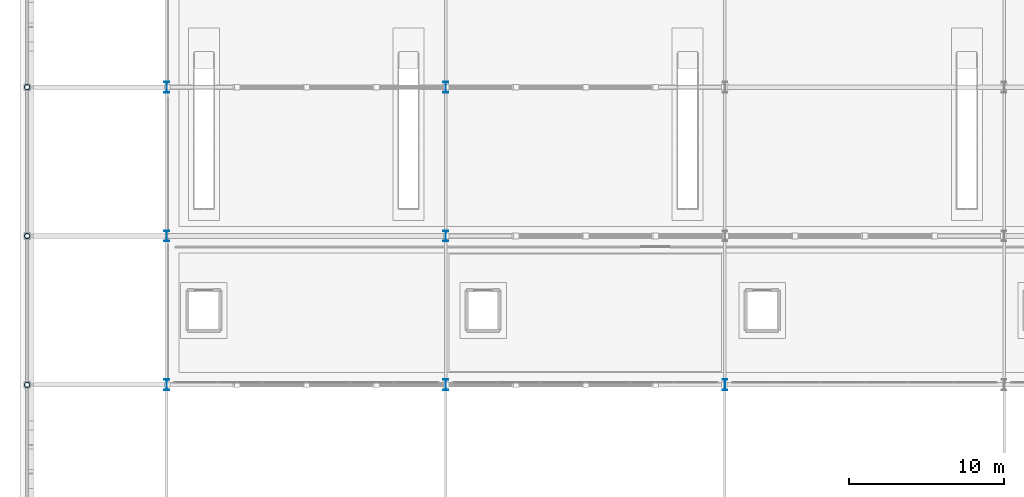
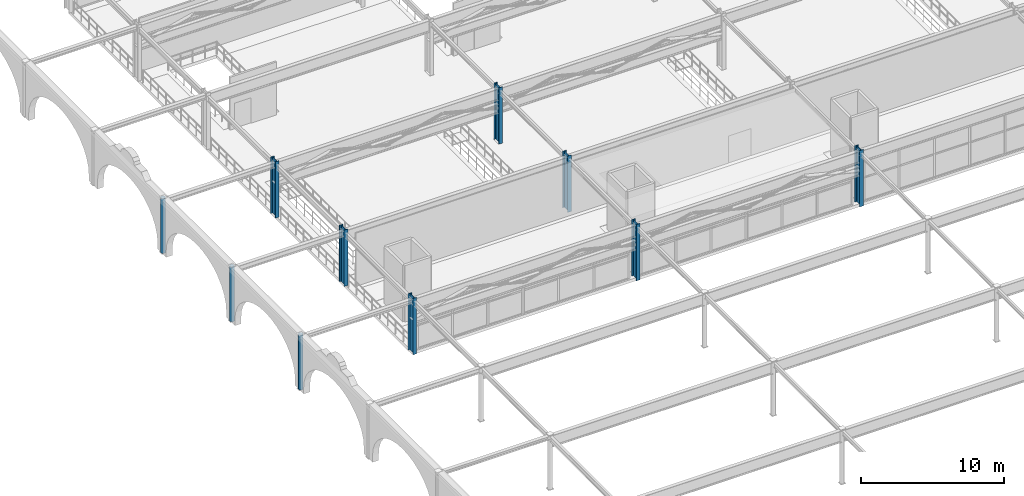
# One storey, part 3 of 125: 10 columns.
"""IFC4 building model written with IfcOpenShell, lengths in metres."""

from ifc_helpers import new_model, si_unit, direction, frame, origin, origin_2d, place, context, subcontext, project, spatial, hollow_circle, i_section, extrude, material, material_profile, profile_set, type_object, element, save


model = new_model("IFC4")

# Units and contexts
model_context = context("Model", 3, precision=1e-05, world=origin(), true_north=direction((0.0, 1.0)))
body_context = subcontext(model_context, "Body", "Model", "MODEL_VIEW")
ifc_project = project(units=[si_unit("LENGTHUNIT", "METRE"), si_unit("AREAUNIT", "SQUARE_METRE"), si_unit("VOLUMEUNIT", "CUBIC_METRE"), si_unit("PLANEANGLEUNIT", "RADIAN"), si_unit("MASSUNIT", "GRAM", prefix="KILO")], contexts=[model_context])

# Site, building, storey
site_placement = place(None, origin())
site = spatial("IfcSite", under=ifc_project, at=site_placement, CompositionType="ELEMENT")
building_placement = place(site_placement, origin())
building = spatial("IfcBuilding", under=site, at=building_placement, Name="Myrtia Square Station", CompositionType="ELEMENT")
storey_placement = place(building_placement, frame((0.0, 0.0, 6.0)))
storey = spatial("IfcBuildingStorey", under=building, at=storey_placement, Name="L01", CompositionType="ELEMENT", Elevation=6.0)

# Columns
ifc_material = material(Name="Steel S355", Category="steel")
ifc_material_profile_1 = material_profile(ifc_material, hollow_circle(Radius=0.177734375, WallThickness=0.02001953125, at=origin_2d()), Name="CHS 355.6x20")
ifc_profile_set_1 = profile_set([ifc_material_profile_1], Name="Steel S355")
column_type_1 = type_object("IfcColumnType", Name="COL-CHS355", PredefinedType="COLUMN", material=ifc_profile_set_1)
for number, where, z_axis, x_axis, name in (
    (1, (0.0, 38.39990234375, 0.0), (0.0, 0.0, 1.0), (1.0, 0.0, 0.0), "Column L01-0012"),
    (2, (0.0, 48.0, 0.0), (0.0, 0.0, 1.0), (1.0, 0.0, 0.0), "Column L01-0015"),
    (3, (0.0, 57.60009765625, 0.0), (0.0, 0.0, 1.0), (1.0, 0.0, 0.0), "Column L01-0018"),
):
    element("IfcColumn", number, at=place(storey_placement, frame(where, z_axis=z_axis, x_axis=x_axis)), inside=storey, type_object=column_type_1, Name=name, PredefinedType="COLUMN", context=body_context, shape_type="SweptSolid", body=[
        extrude(hollow_circle(Radius=0.177734375, WallThickness=0.02001953125, at=origin_2d()), origin(), (0.0, 0.0, 1.0), 4.679931640625),
    ])
ifc_material_profile_2 = material_profile(ifc_material, i_section(OverallWidth=0.300048828125, OverallDepth=0.699951171875, WebThickness=0.01708984375, FlangeThickness=0.031982421875, FilletRadius=0.027099609375, at=origin_2d()), Name="HEB 700")
ifc_profile_set_2 = profile_set([ifc_material_profile_2], Name="Steel S355")
column_type_2 = type_object("IfcColumnType", Name="COL-HEB700", PredefinedType="COLUMN", material=ifc_profile_set_2)
for number, where, z_axis, x_axis, name in (
    (4, (9.0, 38.39990234375, 0.0), (0.0, 0.0, 1.0), (1.0, 0.0, 0.0), "Column L01-0048"),
    (5, (9.0, 48.0, 0.0), (0.0, 0.0, 1.0), (1.0, 0.0, 0.0), "Column L01-0051"),
    (6, (9.0, 57.60009765625, 0.0), (0.0, 0.0, 1.0), (1.0, 0.0, 0.0), "Column L01-0054"),
    (7, (27.0, 38.39990234375, 0.0), (0.0, 0.0, 1.0), (1.0, 0.0, 0.0), "Column L01-0087"),
    (8, (27.0, 48.0, 0.0), (0.0, 0.0, 1.0), (1.0, 0.0, 0.0), "Column L01-0090"),
    (9, (27.0, 57.60009765625, 0.0), (0.0, 0.0, 1.0), (1.0, 0.0, 0.0), "Column L01-0093"),
    (10, (45.0, 38.39990234375, 0.0), (0.0, 0.0, 1.0), (1.0, 0.0, 0.0), "Column L01-0129"),
):
    element("IfcColumn", number, at=place(storey_placement, frame(where, z_axis=z_axis, x_axis=x_axis)), inside=storey, type_object=column_type_2, Name=name, PredefinedType="COLUMN", context=body_context, shape_type="SweptSolid", body=[
        extrude(i_section(OverallWidth=0.300048828125, OverallDepth=0.699951171875, WebThickness=0.01708984375, FlangeThickness=0.031982421875, FilletRadius=0.027099609375, at=origin_2d()), origin(), (0.0, 0.0, 1.0), 4.800048828125),
    ])

save(model, "model.ifc")
